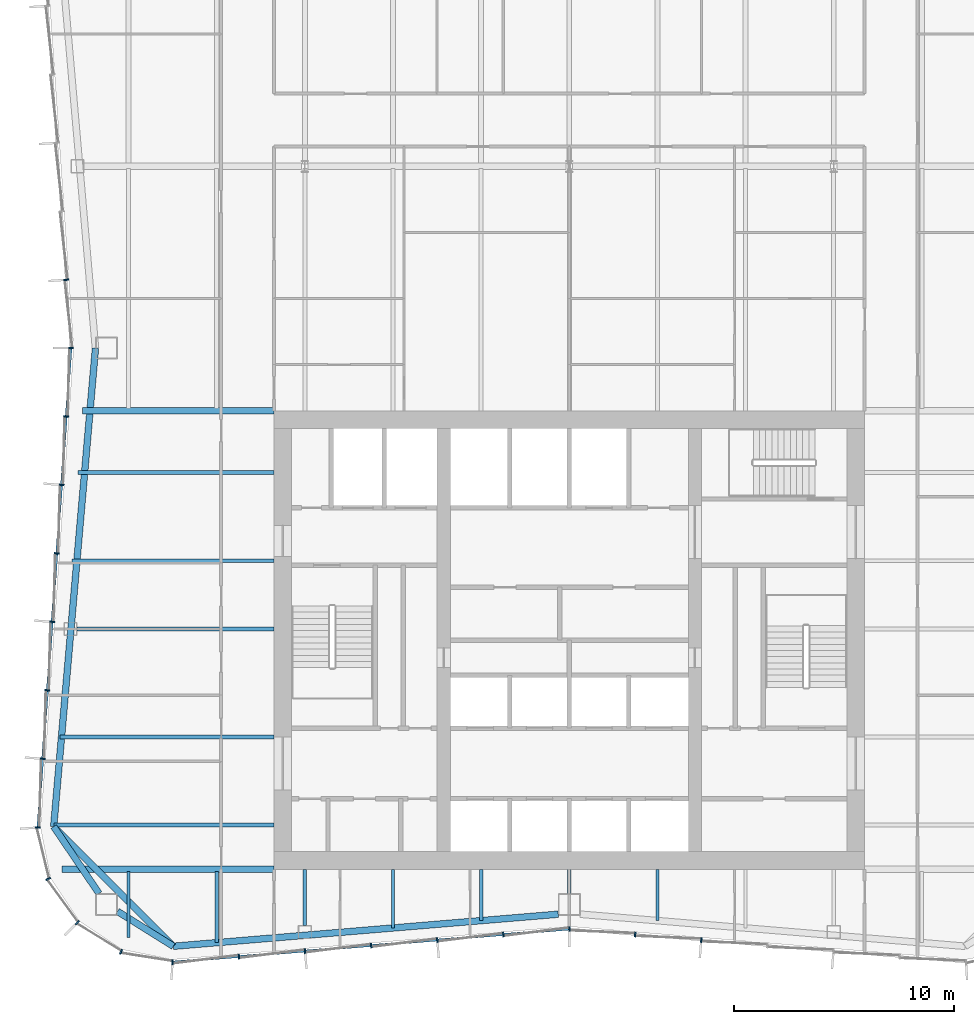
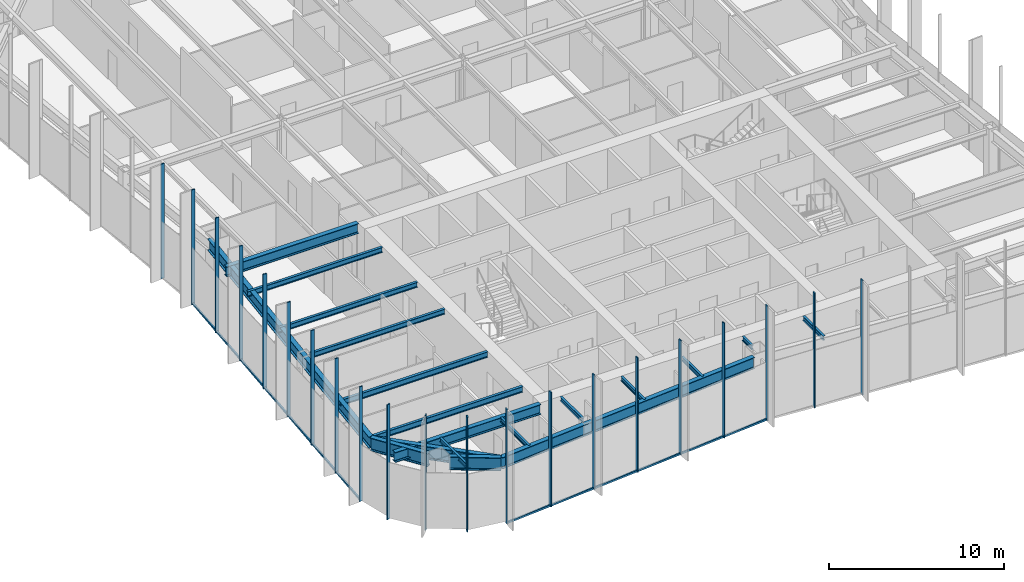
# One storey, part 3 of 15: 23 members, 19 beams, 3 elements without a shape of their own.
"""IFC4 building model written with IfcOpenShell, lengths in metres."""

from ifc_helpers import new_model, si_unit, direction, frame, origin, origin_2d, place, context, subcontext, project, spatial, rectangle, i_section, extrude, material, material_profile, profile_set, type_object, element, aggregate, save


model = new_model("IFC4")

# Units and contexts
model_context = context("Model", 3, precision=1e-05, world=origin(), true_north=direction((0.0, 1.0)))
body_context = subcontext(model_context, "Body", "Model", "MODEL_VIEW")
ifc_project = project(units=[si_unit("LENGTHUNIT", "METRE"), si_unit("AREAUNIT", "SQUARE_METRE"), si_unit("VOLUMEUNIT", "CUBIC_METRE"), si_unit("PLANEANGLEUNIT", "RADIAN"), si_unit("MASSUNIT", "GRAM", prefix="KILO")], contexts=[model_context])

# Site, building, storey
site_placement = place(None, origin())
site = spatial("IfcSite", under=ifc_project, at=site_placement, CompositionType="ELEMENT")
building_placement = place(site_placement, origin())
building = spatial("IfcBuilding", under=site, at=building_placement, Name="Verdant Reach Tower", CompositionType="ELEMENT")
storey_placement = place(building_placement, frame((0.0, 0.0, 274.0)))
storey = spatial("IfcBuildingStorey", under=building, at=storey_placement, Name="L63", CompositionType="ELEMENT", Elevation=274.0)

# Curtain wall, members
ifc_material_1 = material(Name="Anodised aluminium", Category="aluminium")
curtain_wall_type = type_object("IfcCurtainWallType", Name="EN-CW SYSTEM Z4", PredefinedType="NOTDEFINED", material=ifc_material_1)
curtain_wall_1_placement = place(storey_placement, origin())
curtain_wall_1 = element("IfcCurtainWall", 1, at=curtain_wall_1_placement, inside=storey, type_object=curtain_wall_type, Name="Curtain wall west, L63", PredefinedType="NOTDEFINED")
ifc_material_profile_1 = material_profile(ifc_material_1, rectangle(XDim=0.22412109375, YDim=0.068115234375, at=origin_2d()), Name="Mullion 68x224")
ifc_profile_set_1 = profile_set([ifc_material_profile_1], Name="Anodised aluminium")
member_type_1 = type_object("IfcMemberType", Name="EN-MULLION Z4", PredefinedType="MULLION", material=ifc_profile_set_1)
member_1_placement = place(storey_placement, frame((-22.825927734375, 44.349365234375, -0.35009765625), z_axis=(0.0, 0.0, 1.0), x_axis=(-0.997630328423, -0.068802091615, 0.0)))
member_1 = element("IfcMember", 2, at=member_1_placement, type_object=member_type_1, Name="Mullion west face part 1 7, L63", PredefinedType="MULLION", context=body_context, shape_type="SweptSolid", body=[
    extrude(rectangle(XDim=0.22412109375, YDim=0.068115234375, at=origin_2d()), origin(), (0.0, 0.0, 1.0), 8.0),
])
member_2_placement = place(storey_placement, frame((-22.612060546875, 41.25, -0.35009765625), z_axis=(0.0, 0.0, 1.0), x_axis=(-1.0, 0.0, 0.0)))
member_2 = element("IfcMember", 3, at=member_2_placement, type_object=member_type_1, Name="Mullion west face part 2 1, L63", PredefinedType="MULLION", context=body_context, shape_type="SweptSolid", body=[
    extrude(rectangle(XDim=0.22412109375, YDim=0.068115234375, at=origin_2d()), origin(), (0.0, 0.0, 1.0), 8.0),
])
member_3_placement = place(storey_placement, frame((-22.825927734375, 38.150634765625, -0.35009765625), z_axis=(0.0, 0.0, 1.0), x_axis=(-0.997630328423, 0.068802091615, 0.0)))
member_3 = element("IfcMember", 4, at=member_3_placement, type_object=member_type_1, Name="Mullion west face part 2 2, L63", PredefinedType="MULLION", context=body_context, shape_type="SweptSolid", body=[
    extrude(rectangle(XDim=0.22412109375, YDim=0.068115234375, at=origin_2d()), origin(), (0.0, 0.0, 1.0), 8.0),
])
member_4_placement = place(storey_placement, frame((-23.040283203125, 35.04345703125, -0.35009765625), z_axis=(0.0, 0.0, 1.0), x_axis=(-0.997630328423, 0.068802091615, 0.0)))
member_4 = element("IfcMember", 5, at=member_4_placement, type_object=member_type_1, Name="Mullion west face part 2 3, L63", PredefinedType="MULLION", context=body_context, shape_type="SweptSolid", body=[
    extrude(rectangle(XDim=0.22412109375, YDim=0.068115234375, at=origin_2d()), origin(), (0.0, 0.0, 1.0), 8.0),
])
member_5_placement = place(storey_placement, frame((-23.254638671875, 31.936279296875, -0.35009765625), z_axis=(0.0, 0.0, 1.0), x_axis=(-0.997630328423, 0.068802091615, 0.0)))
member_5 = element("IfcMember", 6, at=member_5_placement, type_object=member_type_1, Name="Mullion west face part 2 4, L63", PredefinedType="MULLION", context=body_context, shape_type="SweptSolid", body=[
    extrude(rectangle(XDim=0.22412109375, YDim=0.068115234375, at=origin_2d()), origin(), (0.0, 0.0, 1.0), 8.0),
])
member_6_placement = place(storey_placement, frame((-23.468994140625, 28.8291015625, -0.35009765625), z_axis=(0.0, 0.0, 1.0), x_axis=(-0.997630328423, 0.068802091615, 0.0)))
member_6 = element("IfcMember", 7, at=member_6_placement, type_object=member_type_1, Name="Mullion west face part 2 5, L63", PredefinedType="MULLION", context=body_context, shape_type="SweptSolid", body=[
    extrude(rectangle(XDim=0.22412109375, YDim=0.068115234375, at=origin_2d()), origin(), (0.0, 0.0, 1.0), 8.0),
])
member_7_placement = place(storey_placement, frame((-23.68310546875, 25.721923828125, -0.35009765625), z_axis=(0.0, 0.0, 1.0), x_axis=(-0.997630328423, 0.068802091615, 0.0)))
member_7 = element("IfcMember", 8, at=member_7_placement, type_object=member_type_1, Name="Mullion west face part 2 6, L63", PredefinedType="MULLION", context=body_context, shape_type="SweptSolid", body=[
    extrude(rectangle(XDim=0.22412109375, YDim=0.068115234375, at=origin_2d()), origin(), (0.0, 0.0, 1.0), 8.0),
])
member_8_placement = place(storey_placement, frame((-23.8974609375, 22.61474609375, -0.35009765625), z_axis=(0.0, 0.0, 1.0), x_axis=(-0.997630328423, 0.068802091615, 0.0)))
member_8 = element("IfcMember", 9, at=member_8_placement, type_object=member_type_1, Name="Mullion west face part 2 7, L63", PredefinedType="MULLION", context=body_context, shape_type="SweptSolid", body=[
    extrude(rectangle(XDim=0.22412109375, YDim=0.068115234375, at=origin_2d()), origin(), (0.0, 0.0, 1.0), 8.0),
])

curtain_wall_2_placement = place(storey_placement, origin())
curtain_wall_2 = element("IfcCurtainWall", 10, at=curtain_wall_2_placement, inside=storey, type_object=curtain_wall_type, Name="Curtain wall south-west corner, L63", PredefinedType="NOTDEFINED")
member_9_placement = place(storey_placement, frame((-24.11181640625, 19.492919921875, -0.35009765625), z_axis=(0.0, 0.0, 1.0), x_axis=(-0.997969180898, -0.063698618332, 0.0)))
member_9 = element("IfcMember", 11, at=member_9_placement, type_object=member_type_1, Name="Mullion south-west corner 1, L63", PredefinedType="MULLION", context=body_context, shape_type="SweptSolid", body=[
    extrude(rectangle(XDim=0.22412109375, YDim=0.068115234375, at=origin_2d()), origin(), (0.0, 0.0, 1.0), 8.0),
])
member_10_placement = place(storey_placement, frame((-23.646728515625, 17.1611328125, -0.35009765625), z_axis=(0.0, 0.0, 1.0), x_axis=(-0.923875215753, -0.382693853776, 0.0)))
member_10 = element("IfcMember", 12, at=member_10_placement, type_object=member_type_1, Name="Mullion south-west corner 2, L63", PredefinedType="MULLION", context=body_context, shape_type="SweptSolid", body=[
    extrude(rectangle(XDim=0.22412109375, YDim=0.068115234375, at=origin_2d()), origin(), (0.0, 0.0, 1.0), 8.0),
])
member_11_placement = place(storey_placement, frame((-22.32177734375, 15.17822265625, -0.35009765625), z_axis=(0.0, 0.0, 1.0), x_axis=(-0.707106781187, -0.707106781187, 0.0)))
member_11 = element("IfcMember", 13, at=member_11_placement, type_object=member_type_1, Name="Mullion south-west corner 3, L63", PredefinedType="MULLION", context=body_context, shape_type="SweptSolid", body=[
    extrude(rectangle(XDim=0.22412109375, YDim=0.068115234375, at=origin_2d()), origin(), (0.0, 0.0, 1.0), 8.0),
])
member_12_placement = place(storey_placement, frame((-20.3388671875, 13.853271484375, -0.35009765625), z_axis=(0.0, 0.0, 1.0), x_axis=(-0.382693853776, -0.923875215753, 0.0)))
member_12 = element("IfcMember", 14, at=member_12_placement, type_object=member_type_1, Name="Mullion south-west corner 4, L63", PredefinedType="MULLION", context=body_context, shape_type="SweptSolid", body=[
    extrude(rectangle(XDim=0.22412109375, YDim=0.068115234375, at=origin_2d()), origin(), (0.0, 0.0, 1.0), 8.0),
])
aggregate(curtain_wall_2, [member_9, member_10, member_11, member_12])

curtain_wall_3_placement = place(storey_placement, origin())
curtain_wall_3 = element("IfcCurtainWall", 15, at=curtain_wall_3_placement, inside=storey, type_object=curtain_wall_type, Name="Curtain wall south, L63", PredefinedType="NOTDEFINED")
member_13_placement = place(storey_placement, frame((-18.00634765625, 13.38818359375, -0.35009765625), z_axis=(0.0, 0.0, 1.0), x_axis=(-0.056569187765, -0.998398681387, 0.0)))
member_13 = element("IfcMember", 16, at=member_13_placement, type_object=member_type_1, Name="Mullion south face part 1 1, L63", PredefinedType="MULLION", context=body_context, shape_type="SweptSolid", body=[
    extrude(rectangle(XDim=0.22412109375, YDim=0.068115234375, at=origin_2d()), origin(), (0.0, 0.0, 1.0), 8.0),
])
member_14_placement = place(storey_placement, frame((-14.99072265625, 13.638427734375, -0.35009765625), z_axis=(0.0, 0.0, 1.0), x_axis=(0.083045479859, -0.996545758244, 0.0)))
member_14 = element("IfcMember", 17, at=member_14_placement, type_object=member_type_1, Name="Mullion south face part 1 2, L63", PredefinedType="MULLION", context=body_context, shape_type="SweptSolid", body=[
    extrude(rectangle(XDim=0.22412109375, YDim=0.068115234375, at=origin_2d()), origin(), (0.0, 0.0, 1.0), 8.0),
])
member_15_placement = place(storey_placement, frame((-11.99072265625, 13.888427734375, -0.35009765625), z_axis=(0.0, 0.0, 1.0), x_axis=(0.083045479859, -0.996545758244, 0.0)))
member_15 = element("IfcMember", 18, at=member_15_placement, type_object=member_type_1, Name="Mullion south face part 1 3, L63", PredefinedType="MULLION", context=body_context, shape_type="SweptSolid", body=[
    extrude(rectangle(XDim=0.22412109375, YDim=0.068115234375, at=origin_2d()), origin(), (0.0, 0.0, 1.0), 8.0),
])
member_16_placement = place(storey_placement, frame((-8.99072265625, 14.138427734375, -0.35009765625), z_axis=(0.0, 0.0, 1.0), x_axis=(0.083045479859, -0.996545758244, 0.0)))
member_16 = element("IfcMember", 19, at=member_16_placement, type_object=member_type_1, Name="Mullion south face part 1 4, L63", PredefinedType="MULLION", context=body_context, shape_type="SweptSolid", body=[
    extrude(rectangle(XDim=0.22412109375, YDim=0.068115234375, at=origin_2d()), origin(), (0.0, 0.0, 1.0), 8.0),
])
member_17_placement = place(storey_placement, frame((-5.99072265625, 14.388427734375, -0.35009765625), z_axis=(0.0, 0.0, 1.0), x_axis=(0.083045479859, -0.996545758244, 0.0)))
member_17 = element("IfcMember", 20, at=member_17_placement, type_object=member_type_1, Name="Mullion south face part 1 5, L63", PredefinedType="MULLION", context=body_context, shape_type="SweptSolid", body=[
    extrude(rectangle(XDim=0.22412109375, YDim=0.068115234375, at=origin_2d()), origin(), (0.0, 0.0, 1.0), 8.0),
])
member_18_placement = place(storey_placement, frame((-2.99072265625, 14.638427734375, -0.35009765625), z_axis=(0.0, 0.0, 1.0), x_axis=(0.083045479859, -0.996545758244, 0.0)))
member_18 = element("IfcMember", 21, at=member_18_placement, type_object=member_type_1, Name="Mullion south face part 1 6, L63", PredefinedType="MULLION", context=body_context, shape_type="SweptSolid", body=[
    extrude(rectangle(XDim=0.22412109375, YDim=0.068115234375, at=origin_2d()), origin(), (0.0, 0.0, 1.0), 8.0),
])
member_19_placement = place(storey_placement, frame((0.0, 14.887939453125, -0.35009765625), z_axis=(0.0, 0.0, 1.0), x_axis=(0.0, -1.0, 0.0)))
member_19 = element("IfcMember", 22, at=member_19_placement, type_object=member_type_1, Name="Mullion south face part 2 1, L63", PredefinedType="MULLION", context=body_context, shape_type="SweptSolid", body=[
    extrude(rectangle(XDim=0.22412109375, YDim=0.068115234375, at=origin_2d()), origin(), (0.0, 0.0, 1.0), 8.0),
])
member_20_placement = place(storey_placement, frame((2.99072265625, 14.638427734375, -0.35009765625), z_axis=(0.0, 0.0, 1.0), x_axis=(-0.083045479859, -0.996545758244, 0.0)))
member_20 = element("IfcMember", 23, at=member_20_placement, type_object=member_type_1, Name="Mullion south face part 2 2, L63", PredefinedType="MULLION", context=body_context, shape_type="SweptSolid", body=[
    extrude(rectangle(XDim=0.22412109375, YDim=0.068115234375, at=origin_2d()), origin(), (0.0, 0.0, 1.0), 8.0),
])
member_21_placement = place(storey_placement, frame((5.99072265625, 14.388427734375, -0.35009765625), z_axis=(0.0, 0.0, 1.0), x_axis=(-0.083045479859, -0.996545758244, 0.0)))
member_21 = element("IfcMember", 24, at=member_21_placement, type_object=member_type_1, Name="Mullion south face part 2 3, L63", PredefinedType="MULLION", context=body_context, shape_type="SweptSolid", body=[
    extrude(rectangle(XDim=0.22412109375, YDim=0.068115234375, at=origin_2d()), origin(), (0.0, 0.0, 1.0), 8.0),
])

# Member
ifc_material_profile_2 = material_profile(ifc_material_1, rectangle(XDim=0.10009765625, YDim=0.1279296875, at=origin_2d()), Name="Transom 128x100")
ifc_profile_set_2 = profile_set([ifc_material_profile_2], Name="Anodised aluminium")
member_type_2 = type_object("IfcMemberType", Name="EN-TRANSOM Z4", PredefinedType="USERDEFINED", material=ifc_profile_set_2)
member_22_placement = place(storey_placement, frame((-22.6142578125, 41.216064453125, -0.285888671875), z_axis=(-0.068770489035, -0.997632507408, 0.0), x_axis=(0.997632507408, -0.068770489035, 0.0)))
member_22 = element("IfcMember", 25, at=member_22_placement, type_object=member_type_2, Name="Transom west face part 2 1.1, L63", ObjectType="TRANSOM", PredefinedType="USERDEFINED", context=body_context, shape_type="SweptSolid", body=[
    extrude(rectangle(XDim=0.10009765625, YDim=0.1279296875, at=origin_2d()), origin(), (0.0, 0.0, 1.0), 21.74072265625),
])

aggregate(curtain_wall_1, [member_1, member_2, member_3, member_4, member_5, member_6, member_7, member_8, member_22])

member_23_placement = place(storey_placement, frame((-17.972412109375, 13.39111328125, -0.285888671875), z_axis=(0.996549124771, 0.083005071637, 0.0), x_axis=(-0.083005071637, 0.996549124771, 0.0)))
member_23 = element("IfcMember", 26, at=member_23_placement, type_object=member_type_2, Name="Transom south face part 1 1.1, L63", ObjectType="TRANSOM", PredefinedType="USERDEFINED", context=body_context, shape_type="SweptSolid", body=[
    extrude(rectangle(XDim=0.10009765625, YDim=0.1279296875, at=origin_2d()), origin(), (0.0, 0.0, 1.0), 18.00048828125),
])

aggregate(curtain_wall_3, [member_13, member_14, member_15, member_16, member_17, member_18, member_23, member_19, member_20, member_21])

# Beams
ifc_material_2 = material(Name="Steel S355", Category="steel")
ifc_material_profile_3 = material_profile(ifc_material_2, i_section(OverallWidth=0.300048828125, OverallDepth=0.699951171875, WebThickness=0.01708984375, FlangeThickness=0.031982421875, FilletRadius=0.027099609375, at=origin_2d()), Name="HEB 700")
ifc_profile_set_3 = profile_set([ifc_material_profile_3], Name="Steel S355")
beam_type_1 = type_object("IfcBeamType", Name="ST-BEAM-HEB700", PredefinedType="BEAM", material=ifc_profile_set_3)
beam_1_placement = place(storey_placement, frame((-13.39990234375, 38.39990234375, 3.52001953125), z_axis=(-1.0, 0.0, 0.0), x_axis=(0.0, -1.0, 0.0)))
element("IfcBeam", 27, at=beam_1_placement, inside=storey, type_object=beam_type_1, Name="Trimmer beam, L63", PredefinedType="BEAM", context=body_context, shape_type="SweptSolid", body=[
    extrude(i_section(OverallWidth=0.300048828125, OverallDepth=0.699951171875, WebThickness=0.01708984375, FlangeThickness=0.031982421875, FilletRadius=0.027099609375, at=origin_2d()), origin(), (0.0, 0.0, 1.0), 8.6953125),
])
beam_2_placement = place(storey_placement, frame((-13.39990234375, 17.60009765625, 3.52001953125), z_axis=(-1.0, 0.0, 0.0), x_axis=(0.0, -1.0, 0.0)))
element("IfcBeam", 28, at=beam_2_placement, inside=storey, type_object=beam_type_1, Name="Trimmer beam, L63", PredefinedType="BEAM", context=body_context, shape_type="SweptSolid", body=[
    extrude(i_section(OverallWidth=0.300048828125, OverallDepth=0.699951171875, WebThickness=0.01708984375, FlangeThickness=0.031982421875, FilletRadius=0.027099609375, at=origin_2d()), origin(), (0.0, 0.0, 1.0), 9.6103515625),
])
ifc_material_profile_4 = material_profile(ifc_material_2, i_section(OverallWidth=0.302001953125, OverallDepth=0.909912109375, WebThickness=0.02099609375, FlangeThickness=0.0400390625, FilletRadius=0.030029296875, at=origin_2d()), Name="HEM 900")
ifc_profile_set_4 = profile_set([ifc_material_profile_4], Name="Steel S355")
beam_type_2 = type_object("IfcBeamType", Name="ST-BEAM-HEM900", PredefinedType="BEAM", material=ifc_profile_set_4)
beam_3_placement = place(storey_placement, frame((-20.5, 15.687744140625, 3.4150390625), z_axis=(0.848163521635, -0.529734500073, 0.0), x_axis=(0.529734500073, 0.848163521635, 0.0)))
element("IfcBeam", 29, at=beam_3_placement, inside=storey, type_object=beam_type_2, Name="Column stub beam, L63", PredefinedType="BEAM", context=body_context, shape_type="SweptSolid", body=[
    extrude(i_section(OverallWidth=0.302001953125, OverallDepth=0.909912109375, WebThickness=0.02099609375, FlangeThickness=0.0400390625, FilletRadius=0.030029296875, at=origin_2d()), origin(), (0.0, 0.0, 1.0), 2.98779296875),
])
beam_4_placement = place(storey_placement, frame((-21.33837890625, 16.5, 3.4150390625), z_axis=(-0.560703975309, 0.828016335631, 0.0), x_axis=(-0.828016335631, -0.560703975309, 0.0)))
element("IfcBeam", 30, at=beam_4_placement, inside=storey, type_object=beam_type_2, Name="Column stub beam, L63", PredefinedType="BEAM", context=body_context, shape_type="SweptSolid", body=[
    extrude(i_section(OverallWidth=0.302001953125, OverallDepth=0.909912109375, WebThickness=0.02099609375, FlangeThickness=0.0400390625, FilletRadius=0.030029296875, at=origin_2d()), origin(), (0.0, 0.0, 1.0), 3.669677734375),
])
ifc_material_profile_5 = material_profile(ifc_material_2, i_section(OverallWidth=0.14990234375, OverallDepth=0.300048828125, WebThickness=0.007080078125, FlangeThickness=0.0107421875, FilletRadius=0.014892578125, at=origin_2d()), Name="IPE 300")
ifc_profile_set_5 = profile_set([ifc_material_profile_5], Name="Steel S355")
beam_type_3 = type_object("IfcBeamType", Name="ST-JOIST-IPE300", PredefinedType="JOIST", material=ifc_profile_set_5)
beam_5_placement = place(storey_placement, frame((-20.0, 17.5, 3.719970703125), z_axis=(0.0, -1.0, 0.0), x_axis=(1.0, 0.0, 0.0)))
element("IfcBeam", 31, at=beam_5_placement, inside=storey, type_object=beam_type_3, Name="Floor joist, L63", PredefinedType="JOIST", context=body_context, shape_type="SweptSolid", body=[
    extrude(i_section(OverallWidth=0.14990234375, OverallDepth=0.300048828125, WebThickness=0.007080078125, FlangeThickness=0.0107421875, FilletRadius=0.014892578125, at=origin_2d()), origin(), (0.0, 0.0, 1.0), 2.990478515625),
])
beam_6_placement = place(storey_placement, frame((-16.0, 17.5, 3.719970703125), z_axis=(0.0, -1.0, 0.0), x_axis=(1.0, 0.0, 0.0)))
element("IfcBeam", 32, at=beam_6_placement, inside=storey, type_object=beam_type_3, Name="Floor joist, L63", PredefinedType="JOIST", context=body_context, shape_type="SweptSolid", body=[
    extrude(i_section(OverallWidth=0.14990234375, OverallDepth=0.300048828125, WebThickness=0.007080078125, FlangeThickness=0.0107421875, FilletRadius=0.014892578125, at=origin_2d()), origin(), (0.0, 0.0, 1.0), 3.231201171875),
])
beam_7_placement = place(storey_placement, frame((-12.0, 17.60009765625, 3.719970703125), z_axis=(0.0, -1.0, 0.0), x_axis=(1.0, 0.0, 0.0)))
element("IfcBeam", 33, at=beam_7_placement, inside=storey, type_object=beam_type_3, Name="Floor joist, L63", PredefinedType="JOIST", context=body_context, shape_type="SweptSolid", body=[
    extrude(i_section(OverallWidth=0.14990234375, OverallDepth=0.300048828125, WebThickness=0.007080078125, FlangeThickness=0.0107421875, FilletRadius=0.014892578125, at=origin_2d()), origin(), (0.0, 0.0, 1.0), 2.550048828125),
])
beam_8_placement = place(storey_placement, frame((-8.0, 17.60009765625, 3.719970703125), z_axis=(0.0, -1.0, 0.0), x_axis=(1.0, 0.0, 0.0)))
element("IfcBeam", 34, at=beam_8_placement, inside=storey, type_object=beam_type_3, Name="Floor joist, L63", PredefinedType="JOIST", context=body_context, shape_type="SweptSolid", body=[
    extrude(i_section(OverallWidth=0.14990234375, OverallDepth=0.300048828125, WebThickness=0.007080078125, FlangeThickness=0.0107421875, FilletRadius=0.014892578125, at=origin_2d()), origin(), (0.0, 0.0, 1.0), 2.664794921875),
])
beam_9_placement = place(storey_placement, frame((-4.0, 17.60009765625, 3.719970703125), z_axis=(0.0, -1.0, 0.0), x_axis=(1.0, 0.0, 0.0)))
element("IfcBeam", 35, at=beam_9_placement, inside=storey, type_object=beam_type_3, Name="Floor joist, L63", PredefinedType="JOIST", context=body_context, shape_type="SweptSolid", body=[
    extrude(i_section(OverallWidth=0.14990234375, OverallDepth=0.300048828125, WebThickness=0.007080078125, FlangeThickness=0.0107421875, FilletRadius=0.014892578125, at=origin_2d()), origin(), (0.0, 0.0, 1.0), 2.331298828125),
])
beam_10_placement = place(storey_placement, frame((0.0, 17.60009765625, 3.719970703125), z_axis=(0.0, -1.0, 0.0), x_axis=(1.0, 0.0, 0.0)))
element("IfcBeam", 36, at=beam_10_placement, inside=storey, type_object=beam_type_3, Name="Floor joist, L63", PredefinedType="JOIST", context=body_context, shape_type="SweptSolid", body=[
    extrude(i_section(OverallWidth=0.14990234375, OverallDepth=0.300048828125, WebThickness=0.007080078125, FlangeThickness=0.0107421875, FilletRadius=0.014892578125, at=origin_2d()), origin(), (0.0, 0.0, 1.0), 1.10009765625),
])
beam_11_placement = place(storey_placement, frame((4.0, 17.60009765625, 3.719970703125), z_axis=(0.0, -1.0, 0.0), x_axis=(1.0, 0.0, 0.0)))
element("IfcBeam", 37, at=beam_11_placement, inside=storey, type_object=beam_type_3, Name="Floor joist, L63", PredefinedType="JOIST", context=body_context, shape_type="SweptSolid", body=[
    extrude(i_section(OverallWidth=0.14990234375, OverallDepth=0.300048828125, WebThickness=0.007080078125, FlangeThickness=0.0107421875, FilletRadius=0.014892578125, at=origin_2d()), origin(), (0.0, 0.0, 1.0), 2.331298828125),
])
ifc_material_profile_6 = material_profile(ifc_material_2, i_section(OverallWidth=0.169921875, OverallDepth=0.360107421875, WebThickness=0.008056640625, FlangeThickness=0.0126953125, FilletRadius=0.01806640625, at=origin_2d()), Name="IPE 360")
ifc_profile_set_6 = profile_set([ifc_material_profile_6], Name="Steel S355")
beam_type_4 = type_object("IfcBeamType", Name="ST-JOIST-IPE360", PredefinedType="JOIST", material=ifc_profile_set_6)
beam_12_placement = place(storey_placement, frame((-13.39990234375, 28.5, 3.68994140625), z_axis=(-1.0, 0.0, 0.0), x_axis=(0.0, -1.0, 0.0)))
element("IfcBeam", 38, at=beam_12_placement, inside=storey, type_object=beam_type_4, Name="Floor joist, L63", PredefinedType="JOIST", context=body_context, shape_type="SweptSolid", body=[
    extrude(i_section(OverallWidth=0.169921875, OverallDepth=0.360107421875, WebThickness=0.008056640625, FlangeThickness=0.0126953125, FilletRadius=0.01806640625, at=origin_2d()), origin(), (0.0, 0.0, 1.0), 8.929443359375),
])
beam_13_placement = place(storey_placement, frame((-13.39990234375, 31.60009765625, 3.68994140625), z_axis=(-1.0, 0.0, 0.0), x_axis=(0.0, -1.0, 0.0)))
element("IfcBeam", 39, at=beam_13_placement, inside=storey, type_object=beam_type_4, Name="Floor joist, L63", PredefinedType="JOIST", context=body_context, shape_type="SweptSolid", body=[
    extrude(i_section(OverallWidth=0.169921875, OverallDepth=0.360107421875, WebThickness=0.008056640625, FlangeThickness=0.0126953125, FilletRadius=0.01806640625, at=origin_2d()), origin(), (0.0, 0.0, 1.0), 9.164306640625),
])
beam_14_placement = place(storey_placement, frame((-13.39990234375, 35.60009765625, 3.68994140625), z_axis=(-1.0, 0.0, 0.0), x_axis=(0.0, -1.0, 0.0)))
element("IfcBeam", 40, at=beam_14_placement, inside=storey, type_object=beam_type_4, Name="Floor joist, L63", PredefinedType="JOIST", context=body_context, shape_type="SweptSolid", body=[
    extrude(i_section(OverallWidth=0.169921875, OverallDepth=0.360107421875, WebThickness=0.008056640625, FlangeThickness=0.0126953125, FilletRadius=0.01806640625, at=origin_2d()), origin(), (0.0, 0.0, 1.0), 8.88818359375),
])
ifc_material_profile_7 = material_profile(ifc_material_2, i_section(OverallWidth=0.179931640625, OverallDepth=0.39990234375, WebThickness=0.008544921875, FlangeThickness=0.013427734375, FilletRadius=0.02099609375, at=origin_2d()), Name="IPE 400")
ifc_profile_set_7 = profile_set([ifc_material_profile_7], Name="Steel S355")
beam_type_5 = type_object("IfcBeamType", Name="ST-JOIST-IPE400", PredefinedType="JOIST", material=ifc_profile_set_7)
beam_15_placement = place(storey_placement, frame((-13.39990234375, 19.60009765625, 3.669921875), z_axis=(-1.0, 0.0, 0.0), x_axis=(0.0, -1.0, 0.0)))
element("IfcBeam", 41, at=beam_15_placement, inside=storey, type_object=beam_type_5, Name="Floor joist, L63", PredefinedType="JOIST", context=body_context, shape_type="SweptSolid", body=[
    extrude(i_section(OverallWidth=0.179931640625, OverallDepth=0.39990234375, WebThickness=0.008544921875, FlangeThickness=0.013427734375, FilletRadius=0.02099609375, at=origin_2d()), origin(), (0.0, 0.0, 1.0), 9.99169921875),
])
beam_16_placement = place(storey_placement, frame((-13.39990234375, 23.60009765625, 3.669921875), z_axis=(-1.0, 0.0, 0.0), x_axis=(0.0, -1.0, 0.0)))
element("IfcBeam", 42, at=beam_16_placement, inside=storey, type_object=beam_type_5, Name="Floor joist, L63", PredefinedType="JOIST", context=body_context, shape_type="SweptSolid", body=[
    extrude(i_section(OverallWidth=0.179931640625, OverallDepth=0.39990234375, WebThickness=0.008544921875, FlangeThickness=0.013427734375, FilletRadius=0.02099609375, at=origin_2d()), origin(), (0.0, 0.0, 1.0), 9.7158203125),
])
ifc_material_profile_8 = material_profile(ifc_material_2, i_section(OverallWidth=0.300048828125, OverallDepth=0.800048828125, WebThickness=0.017578125, FlangeThickness=0.032958984375, FilletRadius=0.030029296875, at=origin_2d()), Name="HEB 800")
ifc_profile_set_8 = profile_set([ifc_material_profile_8], Name="Steel S355")
beam_type_6 = type_object("IfcBeamType", Name="ST-SPANDREL-HEB800", PredefinedType="SPANDREL", material=ifc_profile_set_8)
beam_17_placement = place(storey_placement, frame((-0.5, 15.560302734375, 3.469970703125), z_axis=(-0.99654652675, -0.083036257282, 0.0), x_axis=(0.083036257282, -0.99654652675, 0.0)))
element("IfcBeam", 43, at=beam_17_placement, inside=storey, type_object=beam_type_6, Name="Edge beam, L63", PredefinedType="SPANDREL", context=body_context, shape_type="SweptSolid", body=[
    extrude(i_section(OverallWidth=0.300048828125, OverallDepth=0.800048828125, WebThickness=0.017578125, FlangeThickness=0.032958984375, FilletRadius=0.030029296875, at=origin_2d()), origin(), (0.0, 0.0, 1.0), 17.5263671875),
])
beam_18_placement = place(storey_placement, frame((-23.39599609375, 19.53857421875, 3.469970703125), z_axis=(0.086996024331, 0.996208658741, 0.0), x_axis=(-0.996208658741, 0.086996024331, 0.0)))
element("IfcBeam", 44, at=beam_18_placement, inside=storey, type_object=beam_type_6, Name="Edge beam, L63", PredefinedType="SPANDREL", context=body_context, shape_type="SweptSolid", body=[
    extrude(i_section(OverallWidth=0.300048828125, OverallDepth=0.800048828125, WebThickness=0.017578125, FlangeThickness=0.032958984375, FilletRadius=0.030029296875, at=origin_2d()), origin(), (0.0, 0.0, 1.0), 21.7939453125),
])
ifc_material_profile_9 = material_profile(ifc_material_2, i_section(OverallWidth=0.302001953125, OverallDepth=0.909912109375, WebThickness=0.02099609375, FlangeThickness=0.0400390625, FilletRadius=0.030029296875, at=origin_2d()), Name="HEM 900")
ifc_profile_set_9 = profile_set([ifc_material_profile_9], Name="Steel S355")
beam_type_7 = type_object("IfcBeamType", Name="ST-SPANDREL-HEM900", PredefinedType="SPANDREL", material=ifc_profile_set_9)
beam_19_placement = place(storey_placement, frame((-17.9658203125, 14.10498046875, 3.4150390625), z_axis=(-0.706884275642, 0.707329216738, 0.0), x_axis=(-0.707329216738, -0.706884275642, 0.0)))
element("IfcBeam", 45, at=beam_19_placement, inside=storey, type_object=beam_type_7, Name="Edge beam, L63", PredefinedType="SPANDREL", context=body_context, shape_type="SweptSolid", body=[
    extrude(i_section(OverallWidth=0.302001953125, OverallDepth=0.909912109375, WebThickness=0.02099609375, FlangeThickness=0.0400390625, FilletRadius=0.030029296875, at=origin_2d()), origin(), (0.0, 0.0, 1.0), 7.681884765625),
])

save(model, "model.ifc")
